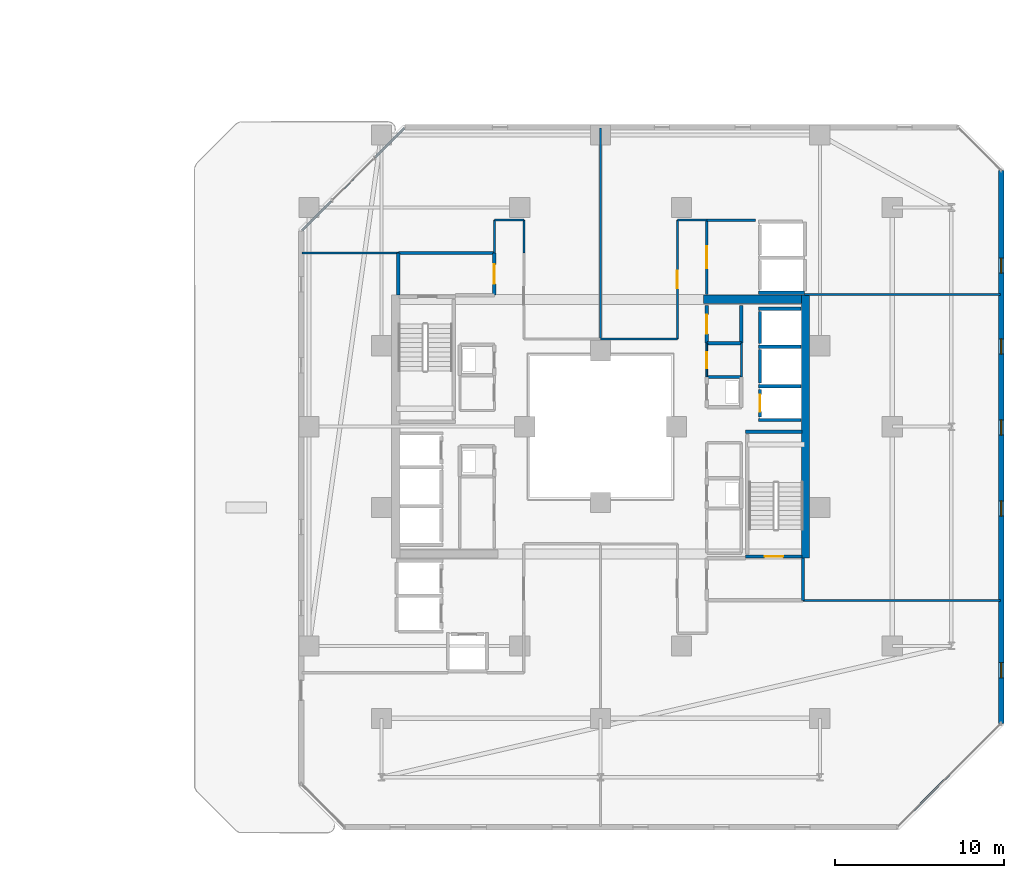
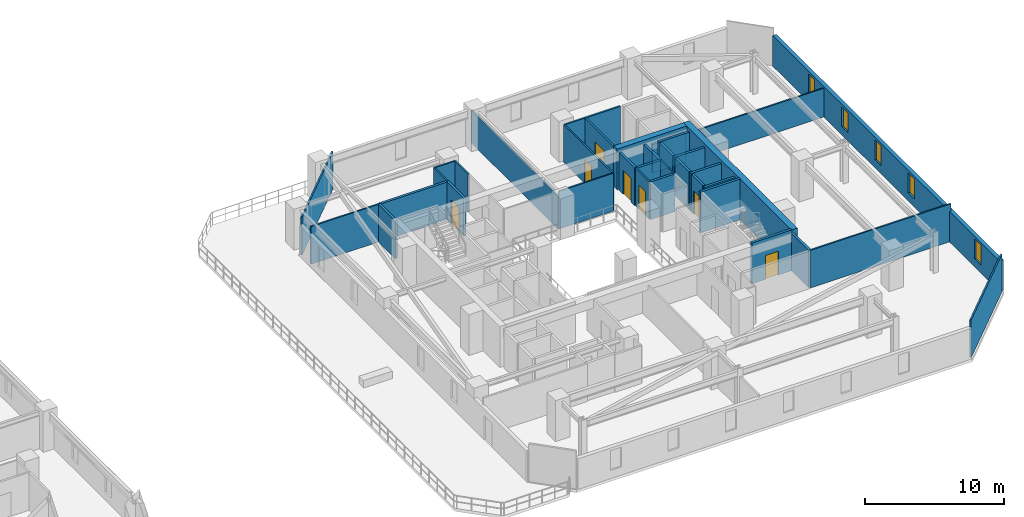
# One storey, part 24 of 31: 37 walls, 7 doors, 5 windows, 12 openings.
"""IFC4 building model written with IfcOpenShell, lengths in metres."""

from ifc_helpers import new_model, si_unit, direction, frame, frame_2d, origin, place, context, subcontext, project, spatial, rectangle, extrude, material, layer, layer_set, type_object, element, fill, save


model = new_model("IFC4")

# Units and contexts
model_context = context("Model", 3, precision=1e-05, world=origin(), true_north=direction((0.0, 1.0)))
body_context = subcontext(model_context, "Body", "Model", "MODEL_VIEW")
ifc_project = project(units=[si_unit("LENGTHUNIT", "METRE"), si_unit("AREAUNIT", "SQUARE_METRE"), si_unit("VOLUMEUNIT", "CUBIC_METRE"), si_unit("PLANEANGLEUNIT", "RADIAN"), si_unit("MASSUNIT", "GRAM", prefix="KILO")], contexts=[model_context])

# Site, building, storey
site_placement = place(None, origin())
site = spatial("IfcSite", under=ifc_project, at=site_placement, CompositionType="ELEMENT")
building_placement = place(site_placement, origin())
building = spatial("IfcBuilding", under=site, at=building_placement, Name="Thornwick Lancets Civic Towers", CompositionType="ELEMENT")
storey_placement = place(building_placement, frame((0.0, 0.0, 119.699951171875)))
storey = spatial("IfcBuildingStorey", under=building, at=storey_placement, Name="L31", CompositionType="ELEMENT", Elevation=119.699951171875)

# Wall, opening, door
ifc_material_1 = material(Name="Concrete blockwork C40/50", Category="masonry")
ifc_layer_1 = layer(ifc_material_1, 0.199951171875, Name="Concrete blockwork C40/50")
ifc_layer_set_1 = layer_set([ifc_layer_1], Name="Concrete blockwork C40/50")
wall_type_1 = type_object("IfcWallType", Name="WALL_COMP_200", PredefinedType="STANDARD", material=ifc_layer_set_1)
wall_1_placement = place(storey_placement, frame((97.949951171875, 29.219970703125, 0.0), z_axis=(0.0, 0.0, 1.0), x_axis=(0.0, -1.0, 0.0)))
wall_1 = element("IfcWall", 1, at=wall_1_placement, inside=storey, type_object=wall_type_1, Name="L31 Hoistway Front Wall FL-B1", PredefinedType="STANDARD", context=body_context, shape_type="SweptSolid", body=[
    extrude(rectangle(XDim=1.639892578125, YDim=0.199951171875, at=frame_2d((0.81982421875, 0.0))), origin(), (0.0, 0.0, 1.0), 3.320068359375),
])
opening_1_placement = place(wall_1_placement, frame((0.31005859375, 0.0, 0.0)))
opening_1 = element("IfcOpeningElement", 2, at=opening_1_placement, cuts=wall_1, Name="Opening LD-FL-B1", PredefinedType="OPENING", context=body_context, shape_type="SweptSolid", body=[
    extrude(rectangle(XDim=1.02001953125, YDim=2.06005859375, at=frame_2d((0.510009765625, 1.030029296875))), frame((0.0, 0.10986328125, 0.0), z_axis=(0.0, -1.0, 0.0), x_axis=(1.0, 0.0, 0.0)), (0.0, 0.0, 1.0), 0.219970703125),
])
ifc_material_2 = material(Name="Brushed bronze stainless steel", Category="steel")
door_type_1 = type_object("IfcDoorType", Name="DOOR_LIFT_SLIDE", OperationType="SLIDING_TO_LEFT", PredefinedType="DOOR", material=ifc_material_2)
door_1_placement = place(opening_1_placement, origin())
door_1 = element("IfcDoor", 3, at=door_1_placement, inside=storey, type_object=door_type_1, Name="L31 Sliding Lift Landing Door LD-FL-B1", OperationType="SLIDING_TO_LEFT", OverallHeight=2.06005859375, OverallWidth=1.02001953125, PredefinedType="DOOR", context=body_context, shape_type="SweptSolid", body=[
    extrude(rectangle(XDim=1.02001953125, YDim=2.06005859375, at=frame_2d((0.510009765625, 1.030029296875))), frame((0.0, 0.02490234375, 0.0), z_axis=(0.0, -1.0, 0.0), x_axis=(1.0, 0.0, 0.0)), (0.0, 0.0, 1.0), 0.050048828125),
])
fill(opening_1, door_1)

# Walls
wall_2_placement = place(storey_placement, frame((97.949951171875, 31.570068359375, 0.0), z_axis=(0.0, 0.0, 1.0), x_axis=(0.0, -1.0, 0.0)))
element("IfcWall", 4, at=wall_2_placement, inside=storey, type_object=wall_type_1, Name="L31 Hoistway Front Wall PL-BH1", PredefinedType="STANDARD", context=body_context, shape_type="SweptSolid", body=[
    extrude(rectangle(XDim=1.989990234375, YDim=0.199951171875, at=frame_2d((0.9951171875, 0.0))), origin(), (0.0, 0.0, 1.0), 3.320068359375),
])
wall_3_placement = place(storey_placement, frame((97.949951171875, 33.820068359375, 0.0), z_axis=(0.0, 0.0, 1.0), x_axis=(0.0, -1.0, 0.0)))
element("IfcWall", 5, at=wall_3_placement, inside=storey, type_object=wall_type_1, Name="L31 Hoistway Front Wall PL-BL1", PredefinedType="STANDARD", context=body_context, shape_type="SweptSolid", body=[
    extrude(rectangle(XDim=1.89013671875, YDim=0.199951171875, at=frame_2d((0.945068359375, 0.0))), origin(), (0.0, 0.0, 1.0), 3.320068359375),
])
for number, where, z_axis, x_axis, name in (
    (6, (97.85205078125, 29.39990234375, 0.0), (0.0, 0.0, 1.0), (1.0, 0.0, 0.0), "L31 Hoistway Shaft Wall FL-B1 N"),
    (7, (97.85205078125, 27.39990234375, 0.0), (0.0, 0.0, 1.0), (1.0, 0.0, 0.0), "L31 Hoistway Shaft Wall FL-B1 S"),
    (8, (97.85205078125, 31.75, 0.0), (0.0, 0.0, 1.0), (1.0, 0.0, 0.0), "L31 Hoistway Shaft Wall PL-BH1 N"),
    (9, (97.85205078125, 34.0, 0.0), (0.0, 0.0, 1.0), (1.0, 0.0, 0.0), "L31 Hoistway Shaft Wall PL-BL1 N"),
):
    element("IfcWall", number, at=place(storey_placement, frame(where, z_axis=z_axis, x_axis=x_axis)), inside=storey, type_object=wall_type_1, Name=name, PredefinedType="STANDARD", context=body_context, shape_type="SweptSolid", body=[
        extrude(rectangle(XDim=2.535888671875, YDim=0.199951171875, at=frame_2d((1.26806640625, 0.0))), origin(), (0.0, 0.0, 1.0), 3.320068359375),
    ])
wall_4_placement = place(storey_placement, frame((97.85205078125, 34.949951171875, 0.0), z_axis=(0.0, 0.0, 1.0), x_axis=(1.0, 0.0, 0.0)))
element("IfcWall", 10, at=wall_4_placement, inside=storey, type_object=wall_type_1, Name="L31 Hoistway Shaft Wall PL-BL2 S", PredefinedType="STANDARD", context=body_context, shape_type="SweptSolid", body=[
    extrude(rectangle(XDim=2.745849609375, YDim=0.199951171875, at=frame_2d((1.373046875, 0.0))), origin(), (0.0, 0.0, 1.0), 2.525146484375),
])
wall_5_placement = place(storey_placement, frame((100.5, 16.699951171875, 0.0), z_axis=(0.0, 0.0, 1.0), x_axis=(0.0, 1.0, 0.0)))
element("IfcWall", 11, at=wall_5_placement, inside=storey, type_object=wall_type_1, Name="L31 Partition L31-B-FFLOB1 E2", PredefinedType="STANDARD", context=body_context, shape_type="SweptSolid", body=[
    extrude(rectangle(XDim=2.5, YDim=0.199951171875, at=frame_2d((1.25, 0.0))), origin(), (0.0, 0.0, 1.0), 3.320068359375),
])

# Wall, opening, door
wall_6_placement = place(storey_placement, frame((82.199951171875, 34.800048828125, 0.0), z_axis=(0.0, 0.0, 1.0), x_axis=(0.0, 1.0, 0.0)))
wall_6 = element("IfcWall", 12, at=wall_6_placement, inside=storey, type_object=wall_type_1, Name="L31 Partition L31-B-FFLOB2 E2", PredefinedType="STANDARD", context=body_context, shape_type="SweptSolid", body=[
    extrude(rectangle(XDim=2.5, YDim=0.199951171875, at=frame_2d((1.25, 0.0))), origin(), (0.0, 0.0, 1.0), 3.320068359375),
])
opening_2_placement = place(wall_6_placement, frame((0.675048828125, 0.0, 0.0)))
opening_2 = element("IfcOpeningElement", 13, at=opening_2_placement, cuts=wall_6, Name="Opening D-L31-1432", PredefinedType="OPENING", context=body_context, shape_type="SweptSolid", body=[
    extrude(rectangle(XDim=1.14990234375, YDim=2.10009765625, at=frame_2d((0.574951171875, 1.050048828125))), frame((0.0, 0.10986328125, 0.0), z_axis=(0.0, -1.0, 0.0), x_axis=(1.0, 0.0, 0.0)), (0.0, 0.0, 1.0), 0.219970703125),
])
ifc_material_3 = material(Name="Glazed fire-resisting steel", Category="steel")
door_type_2 = type_object("IfcDoorType", Name="DOOR_LOBBY_FD60", OperationType="NOTDEFINED", PredefinedType="DOOR", material=ifc_material_3)
door_2_placement = place(opening_2_placement, origin())
door_2 = element("IfcDoor", 14, at=door_2_placement, inside=storey, type_object=door_type_2, Name="L31 West Firefighting Lobby 2 Door", OperationType="SINGLE_SWING_LEFT", OverallHeight=2.10009765625, OverallWidth=1.14990234375, PredefinedType="DOOR", context=body_context, shape_type="SweptSolid", body=[
    extrude(rectangle(XDim=1.14990234375, YDim=2.10009765625, at=frame_2d((0.574951171875, 1.050048828125))), frame((0.0, 0.02490234375, 0.0), z_axis=(0.0, -1.0, 0.0), x_axis=(1.0, 0.0, 0.0)), (0.0, 0.0, 1.0), 0.050048828125),
])
fill(opening_2, door_2)

# Walls
wall_7_placement = place(storey_placement, frame((82.199951171875, 37.300048828125, 0.0), z_axis=(0.0, 0.0, 1.0), x_axis=(-1.0, 0.0, 0.0)))
element("IfcWall", 15, at=wall_7_placement, inside=storey, type_object=wall_type_1, Name="L31 Partition L31-B-FFLOB2 E3", PredefinedType="STANDARD", context=body_context, shape_type="SweptSolid", body=[
    extrude(rectangle(XDim=5.699951171875, YDim=0.199951171875, at=frame_2d((2.85009765625, 0.0))), origin(), (0.0, 0.0, 1.0), 3.320068359375),
])
wall_8_placement = place(storey_placement, frame((76.5, 37.300048828125, 0.0), z_axis=(0.0, 0.0, 1.0), x_axis=(0.0, -1.0, 0.0)))
element("IfcWall", 16, at=wall_8_placement, inside=storey, type_object=wall_type_1, Name="L31 Partition L31-B-FFLOB2 E4", PredefinedType="STANDARD", context=body_context, shape_type="SweptSolid", body=[
    extrude(rectangle(XDim=2.5, YDim=0.199951171875, at=frame_2d((1.25, 0.0))), origin(), (0.0, 0.0, 1.0), 3.320068359375),
])
wall_9_placement = place(storey_placement, frame((96.85009765625, 29.949951171875, 0.0), z_axis=(0.0, 0.0, 1.0), x_axis=(-1.0, 0.0, 0.0)))
element("IfcWall", 17, at=wall_9_placement, inside=storey, type_object=wall_type_1, Name="L31 Partition L31-B-DUCT1 E3", PredefinedType="STANDARD", context=body_context, shape_type="SweptSolid", body=[
    extrude(rectangle(XDim=2.050048828125, YDim=0.199951171875, at=frame_2d((1.02490234375, 0.0))), origin(), (0.0, 0.0, 1.0), 3.320068359375),
])

# Wall, opening, door
wall_10_placement = place(storey_placement, frame((94.800048828125, 31.949951171875, 0.0), z_axis=(0.0, 0.0, 1.0), x_axis=(0.0, 1.0, 0.0)))
wall_10 = element("IfcWall", 18, at=wall_10_placement, inside=storey, type_object=wall_type_1, Name="L31 Partition L31-B-ITR2 E1", PredefinedType="STANDARD", context=body_context, shape_type="SweptSolid", body=[
    extrude(rectangle(XDim=2.25, YDim=0.199951171875, at=frame_2d((1.125, 0.0))), origin(), (0.0, 0.0, 1.0), 3.320068359375),
])
opening_3_placement = place(wall_10_placement, frame((0.550048828125, 0.0, 0.0)))
opening_3 = element("IfcOpeningElement", 19, at=opening_3_placement, cuts=wall_10, Name="Opening D-L31-1440", PredefinedType="OPENING", context=body_context, shape_type="SweptSolid", body=[
    extrude(rectangle(XDim=1.14990234375, YDim=2.10009765625, at=frame_2d((0.574951171875, 1.050048828125))), frame((0.0, 0.10986328125, 0.0), z_axis=(0.0, -1.0, 0.0), x_axis=(1.0, 0.0, 0.0)), (0.0, 0.0, 1.0), 0.219970703125),
])
door_3_placement = place(opening_3_placement, origin())
door_3 = element("IfcDoor", 20, at=door_3_placement, inside=storey, type_object=door_type_2, Name="L31 Tower B Statutory Core Archive Door", OperationType="SINGLE_SWING_LEFT", OverallHeight=2.10009765625, OverallWidth=1.14990234375, PredefinedType="DOOR", context=body_context, shape_type="SweptSolid", body=[
    extrude(rectangle(XDim=1.14990234375, YDim=2.10009765625, at=frame_2d((0.574951171875, 1.050048828125))), frame((0.0, 0.02490234375, 0.0), z_axis=(0.0, -1.0, 0.0), x_axis=(1.0, 0.0, 0.0)), (0.0, 0.0, 1.0), 0.050048828125),
])
fill(opening_3, door_3)

# Walls
wall_11_placement = place(storey_placement, frame((96.85009765625, 34.199951171875, 0.0), z_axis=(0.0, 0.0, 1.0), x_axis=(0.0, -1.0, 0.0)))
element("IfcWall", 21, at=wall_11_placement, inside=storey, type_object=wall_type_1, Name="L31 Partition L31-B-ITR2 E3", PredefinedType="STANDARD", context=body_context, shape_type="SweptSolid", body=[
    extrude(rectangle(XDim=2.25, YDim=0.199951171875, at=frame_2d((1.125, 0.0))), origin(), (0.0, 0.0, 1.0), 3.320068359375),
])
wall_12_placement = place(storey_placement, frame((96.85009765625, 31.949951171875, 0.0), z_axis=(0.0, 0.0, 1.0), x_axis=(-1.0, 0.0, 0.0)))
element("IfcWall", 22, at=wall_12_placement, inside=storey, type_object=wall_type_1, Name="L31 Partition L31-B-ITR2 E4", PredefinedType="STANDARD", context=body_context, shape_type="SweptSolid", body=[
    extrude(rectangle(XDim=2.050048828125, YDim=0.199951171875, at=frame_2d((1.02490234375, 0.0))), origin(), (0.0, 0.0, 1.0), 3.320068359375),
])
ifc_material_4 = material(Name="Concrete C50/60", Category="concrete")
ifc_layer_2 = layer(ifc_material_4, 0.5, Name="Concrete C50/60")
ifc_layer_set_2 = layer_set([ifc_layer_2], Name="Concrete C50/60")
wall_type_2 = type_object("IfcWallType", Name="WALL_CORE_500", PredefinedType="SHEAR", material=ifc_layer_set_2)
wall_13_placement = place(storey_placement, frame((100.64990234375, 19.199951171875, 0.0), z_axis=(0.0, 0.0, 1.0), x_axis=(0.0, 1.0, 0.0)))
element("IfcWall", 23, at=wall_13_placement, inside=storey, type_object=wall_type_2, Name="L31 Split Core B1 Shear Wall E", PredefinedType="SHEAR", context=body_context, shape_type="SweptSolid", body=[
    extrude(rectangle(XDim=15.60009765625, YDim=0.5, at=frame_2d((7.800048828125, 0.0))), origin(), (0.0, 0.0, 1.0), 3.60009765625),
])
wall_14_placement = place(storey_placement, frame((94.60009765625, 34.550048828125, 0.0), z_axis=(0.0, 0.0, 1.0), x_axis=(1.0, 0.0, 0.0)))
element("IfcWall", 24, at=wall_14_placement, inside=storey, type_object=wall_type_2, Name="L31 Split Core B1 Shear Wall N", PredefinedType="SHEAR", context=body_context, shape_type="SweptSolid", body=[
    extrude(rectangle(XDim=5.7998046875, YDim=0.5, at=frame_2d((2.89990234375, 0.0))), origin(), (0.0, 0.0, 1.0), 3.60009765625),
])

# Wall, openings, windows
ifc_material_5 = material(Name="Insulated buff terracotta rainscreen on concrete C40/50", Category="masonry")
ifc_layer_3 = layer(ifc_material_5, 0.320068359375, Name="Insulated buff terracotta rainscreen on concrete C40/50")
ifc_layer_set_3 = layer_set([ifc_layer_3], Name="Insulated buff terracotta rainscreen on concrete C40/50")
wall_type_3 = type_object("IfcWallType", Name="WALL_EXT_TERRA_320", PredefinedType="STANDARD", material=ifc_layer_set_3)
wall_15_placement = place(storey_placement, frame((112.252685546875, 9.403564453125, 0.0), z_axis=(0.0, 0.0, 1.0), x_axis=(0.000364968916, 0.999999933399, 0.0)))
wall_15 = element("IfcWall", 25, at=wall_15_placement, inside=storey, type_object=wall_type_3, Name="L31 Tower B Terracotta Facade Wall E2", PredefinedType="STANDARD", context=body_context, shape_type="SweptSolid", body=[
    extrude(rectangle(XDim=32.77783203125, YDim=0.320068359375, at=frame_2d((16.388916015625, 0.0))), origin(), (0.0, 0.0, 1.0), 2.699951171875),
])
opening_4_placement = place(wall_15_placement, frame((2.699951171875, 0.0, 0.719970703125)))
opening_4 = element("IfcOpeningElement", 26, at=opening_4_placement, cuts=wall_15, Name="Opening WL-01", PredefinedType="OPENING", context=body_context, shape_type="SweptSolid", body=[
    extrude(rectangle(XDim=0.89990234375, YDim=1.75, at=frame_2d((0.449951171875, 0.875))), frame((0.0, 0.169921875, 0.0), z_axis=(0.0, -1.0, 0.0), x_axis=(1.0, 0.0, 0.0)), (0.0, 0.0, 1.0), 0.340087890625),
])
opening_5_placement = place(wall_15_placement, frame((12.300048828125, 0.0, 0.719970703125)))
opening_5 = element("IfcOpeningElement", 27, at=opening_5_placement, cuts=wall_15, Name="Opening WL-01", PredefinedType="OPENING", context=body_context, shape_type="SweptSolid", body=[
    extrude(rectangle(XDim=0.89990234375, YDim=1.75, at=frame_2d((0.449951171875, 0.875))), frame((0.0, 0.169921875, 0.0), z_axis=(0.0, -1.0, 0.0), x_axis=(1.0, 0.0, 0.0)), (0.0, 0.0, 1.0), 0.340087890625),
])
opening_6_placement = place(wall_15_placement, frame((17.10009765625, 0.0, 0.719970703125)))
opening_6 = element("IfcOpeningElement", 28, at=opening_6_placement, cuts=wall_15, Name="Opening WL-01", PredefinedType="OPENING", context=body_context, shape_type="SweptSolid", body=[
    extrude(rectangle(XDim=0.89990234375, YDim=1.75, at=frame_2d((0.449951171875, 0.875))), frame((0.0, 0.169921875, 0.0), z_axis=(0.0, -1.0, 0.0), x_axis=(1.0, 0.0, 0.0)), (0.0, 0.0, 1.0), 0.340087890625),
])
opening_7_placement = place(wall_15_placement, frame((21.89990234375, 0.0, 0.719970703125)))
opening_7 = element("IfcOpeningElement", 29, at=opening_7_placement, cuts=wall_15, Name="Opening WL-01", PredefinedType="OPENING", context=body_context, shape_type="SweptSolid", body=[
    extrude(rectangle(XDim=0.89990234375, YDim=1.75, at=frame_2d((0.449951171875, 0.875))), frame((0.0, 0.169921875, 0.0), z_axis=(0.0, -1.0, 0.0), x_axis=(1.0, 0.0, 0.0)), (0.0, 0.0, 1.0), 0.340087890625),
])
opening_8_placement = place(wall_15_placement, frame((26.699951171875, 0.0, 0.719970703125)))
opening_8 = element("IfcOpeningElement", 30, at=opening_8_placement, cuts=wall_15, Name="Opening WL-01", PredefinedType="OPENING", context=body_context, shape_type="SweptSolid", body=[
    extrude(rectangle(XDim=0.89990234375, YDim=1.75, at=frame_2d((0.449951171875, 0.875))), frame((0.0, 0.169921875, 0.0), z_axis=(0.0, -1.0, 0.0), x_axis=(1.0, 0.0, 0.0)), (0.0, 0.0, 1.0), 0.340087890625),
])
ifc_material_6 = material(Name="Clear low-e double glazing in bronze frame", Category="glass")
window_type = type_object("IfcWindowType", Name="WIN_LANCET_900", PartitioningType="SINGLE_PANEL", PredefinedType="WINDOW", material=ifc_material_6)
window_1_placement = place(opening_4_placement, origin())
window_1 = element("IfcWindow", 31, at=window_1_placement, inside=storey, type_object=window_type, Name="L31 Tower B Staggered Lancet Window E2-1", OverallHeight=1.75, OverallWidth=0.89990234375, PartitioningType="SINGLE_PANEL", PredefinedType="WINDOW", context=body_context, shape_type="SweptSolid", body=[
    extrude(rectangle(XDim=0.89990234375, YDim=1.75, at=frame_2d((0.449951171875, 0.875))), frame((0.0, 0.030029296875, 0.0), z_axis=(0.0, -1.0, 0.0), x_axis=(1.0, 0.0, 0.0)), (0.0, 0.0, 1.0), 0.06005859375),
])
fill(opening_4, window_1)
window_2_placement = place(opening_5_placement, origin())
window_2 = element("IfcWindow", 32, at=window_2_placement, inside=storey, type_object=window_type, Name="L31 Tower B Staggered Lancet Window E2-2", OverallHeight=1.75, OverallWidth=0.89990234375, PartitioningType="SINGLE_PANEL", PredefinedType="WINDOW", context=body_context, shape_type="SweptSolid", body=[
    extrude(rectangle(XDim=0.89990234375, YDim=1.75, at=frame_2d((0.449951171875, 0.875))), frame((0.0, 0.030029296875, 0.0), z_axis=(0.0, -1.0, 0.0), x_axis=(1.0, 0.0, 0.0)), (0.0, 0.0, 1.0), 0.06005859375),
])
fill(opening_5, window_2)
window_3_placement = place(opening_6_placement, origin())
window_3 = element("IfcWindow", 33, at=window_3_placement, inside=storey, type_object=window_type, Name="L31 Tower B Staggered Lancet Window E2-3", OverallHeight=1.75, OverallWidth=0.89990234375, PartitioningType="SINGLE_PANEL", PredefinedType="WINDOW", context=body_context, shape_type="SweptSolid", body=[
    extrude(rectangle(XDim=0.89990234375, YDim=1.75, at=frame_2d((0.449951171875, 0.875))), frame((0.0, 0.030029296875, 0.0), z_axis=(0.0, -1.0, 0.0), x_axis=(1.0, 0.0, 0.0)), (0.0, 0.0, 1.0), 0.06005859375),
])
fill(opening_6, window_3)
window_4_placement = place(opening_7_placement, origin())
window_4 = element("IfcWindow", 34, at=window_4_placement, inside=storey, type_object=window_type, Name="L31 Tower B Staggered Lancet Window E2-4", OverallHeight=1.75, OverallWidth=0.89990234375, PartitioningType="SINGLE_PANEL", PredefinedType="WINDOW", context=body_context, shape_type="SweptSolid", body=[
    extrude(rectangle(XDim=0.89990234375, YDim=1.75, at=frame_2d((0.449951171875, 0.875))), frame((0.0, 0.030029296875, 0.0), z_axis=(0.0, -1.0, 0.0), x_axis=(1.0, 0.0, 0.0)), (0.0, 0.0, 1.0), 0.06005859375),
])
fill(opening_7, window_4)
window_5_placement = place(opening_8_placement, origin())
window_5 = element("IfcWindow", 35, at=window_5_placement, inside=storey, type_object=window_type, Name="L31 Tower B Staggered Lancet Window E2-5", OverallHeight=1.75, OverallWidth=0.89990234375, PartitioningType="SINGLE_PANEL", PredefinedType="WINDOW", context=body_context, shape_type="SweptSolid", body=[
    extrude(rectangle(XDim=0.89990234375, YDim=1.75, at=frame_2d((0.449951171875, 0.875))), frame((0.0, 0.030029296875, 0.0), z_axis=(0.0, -1.0, 0.0), x_axis=(1.0, 0.0, 0.0)), (0.0, 0.0, 1.0), 0.06005859375),
])
fill(opening_8, window_5)

# Wall, opening, door
ifc_material_7 = material(Name="Lightweight cellular office partition")
ifc_layer_4 = layer(ifc_material_7, 0.10009765625, Name="Lightweight cellular office partition")
ifc_layer_set_4 = layer_set([ifc_layer_4], Name="Lightweight cellular office partition")
wall_type_4 = type_object("IfcWallType", Name="WALL_PART_100", PredefinedType="PARTITIONING", material=ifc_layer_set_4)
wall_16_placement = place(storey_placement, frame((94.800048828125, 29.949951171875, 0.0), z_axis=(0.0, 0.0, 1.0), x_axis=(0.0, 1.0, 0.0)))
wall_16 = element("IfcWall", 36, at=wall_16_placement, inside=storey, type_object=wall_type_4, Name="L31 Partition L31-B-CLN E1", PredefinedType="PARTITIONING", context=body_context, shape_type="SweptSolid", body=[
    extrude(rectangle(XDim=2.0, YDim=0.10009765625, at=frame_2d((1.0, 0.0))), origin(), (0.0, 0.0, 1.0), 3.320068359375),
])
opening_9_placement = place(wall_16_placement, frame((0.52490234375, 0.0, 0.0)))
opening_9 = element("IfcOpeningElement", 37, at=opening_9_placement, cuts=wall_16, Name="Opening D-L31-1439", PredefinedType="OPENING", context=body_context, shape_type="SweptSolid", body=[
    extrude(rectangle(XDim=0.949951171875, YDim=2.10009765625, at=frame_2d((0.47509765625, 1.050048828125))), frame((0.0, 0.06005859375, 0.0), z_axis=(0.0, -1.0, 0.0), x_axis=(1.0, 0.0, 0.0)), (0.0, 0.0, 1.0), 0.1201171875),
])
ifc_material_8 = material(Name="European oak acoustic doorset")
door_type_3 = type_object("IfcDoorType", Name="DOOR_OFFICE_950", OperationType="NOTDEFINED", PredefinedType="DOOR", material=ifc_material_8)
door_4_placement = place(opening_9_placement, origin())
door_4 = element("IfcDoor", 38, at=door_4_placement, inside=storey, type_object=door_type_3, Name="L31 Tower B Cleaners Store Door", OperationType="SINGLE_SWING_RIGHT", OverallHeight=2.10009765625, OverallWidth=0.949951171875, PredefinedType="DOOR", context=body_context, shape_type="SweptSolid", body=[
    extrude(rectangle(XDim=0.949951171875, YDim=2.10009765625, at=frame_2d((0.47509765625, 1.050048828125))), frame((0.0, 0.02490234375, 0.0), z_axis=(0.0, -1.0, 0.0), x_axis=(1.0, 0.0, 0.0)), (0.0, 0.0, 1.0), 0.050048828125),
])
fill(opening_9, door_4)

# Walls
wall_17_placement = place(storey_placement, frame((96.85009765625, 31.949951171875, 0.0), z_axis=(0.0, 0.0, 1.0), x_axis=(0.0, -1.0, 0.0)))
element("IfcWall", 39, at=wall_17_placement, inside=storey, type_object=wall_type_4, Name="L31 Partition L31-B-CLN E3", PredefinedType="PARTITIONING", context=body_context, shape_type="SweptSolid", body=[
    extrude(rectangle(XDim=2.0, YDim=0.10009765625, at=frame_2d((1.0, 0.0))), origin(), (0.0, 0.0, 1.0), 3.320068359375),
])
ifc_material_9 = material(Name="Acoustic gypsum board partition")
ifc_layer_5 = layer(ifc_material_9, 0.1201171875, Name="Acoustic gypsum board partition")
ifc_layer_set_5 = layer_set([ifc_layer_5], Name="Acoustic gypsum board partition")
wall_type_5 = type_object("IfcWallType", Name="WALL_PART_120", PredefinedType="PARTITIONING", material=ifc_layer_set_5)
wall_18_placement = place(storey_placement, frame((100.5, 16.699951171875, 0.0), z_axis=(0.0, 0.0, 1.0), x_axis=(1.0, 0.0, 0.0)))
element("IfcWall", 40, at=wall_18_placement, inside=storey, type_object=wall_type_5, Name="L31 Partition L31-B-W1 E8", PredefinedType="PARTITIONING", context=body_context, shape_type="SweptSolid", body=[
    extrude(rectangle(XDim=11.719970703125, YDim=0.1201171875, at=frame_2d((5.85986328125, 0.0))), origin(), (0.0, 0.0, 1.0), 3.320068359375),
])
wall_19_placement = place(storey_placement, frame((112.219970703125, 9.37451171875, 0.0), z_axis=(0.0, 0.0, 1.0), x_axis=(-0.707106781187, -0.707106781187, 0.0)))
element("IfcWall", 41, at=wall_19_placement, inside=storey, type_object=wall_type_5, Name="L31 Partition L31-B-W1 E10", PredefinedType="PARTITIONING", context=body_context, shape_type="SweptSolid", body=[
    extrude(rectangle(XDim=8.618896484375, YDim=0.1201171875, at=frame_2d((4.3095703125, 0.0))), origin(), (0.0, 0.0, 1.0), 3.320068359375),
])
wall_20_placement = place(storey_placement, frame((94.800048828125, 39.25, 0.0), z_axis=(0.0, 0.0, 1.0), x_axis=(-1.0, 0.0, 0.0)))
element("IfcWall", 42, at=wall_20_placement, inside=storey, type_object=wall_type_5, Name="L31 Partition L31-B-E1 E3", PredefinedType="PARTITIONING", context=body_context, shape_type="SweptSolid", body=[
    extrude(rectangle(XDim=1.75, YDim=0.1201171875, at=frame_2d((0.875, 0.0))), origin(), (0.0, 0.0, 1.0), 3.320068359375),
])

# Wall, opening, door
wall_21_placement = place(storey_placement, frame((93.050048828125, 39.25, 0.0), z_axis=(0.0, 0.0, 1.0), x_axis=(0.0, -1.0, 0.0)))
wall_21 = element("IfcWall", 43, at=wall_21_placement, inside=storey, type_object=wall_type_5, Name="L31 Partition L31-B-E1 E4", PredefinedType="PARTITIONING", context=body_context, shape_type="SweptSolid", body=[
    extrude(rectangle(XDim=7.050048828125, YDim=0.1201171875, at=frame_2d((3.52490234375, 0.0))), origin(), (0.0, 0.0, 1.0), 3.320068359375),
])
opening_10_placement = place(wall_21_placement, frame((3.0, 0.0, 0.0)))
opening_10 = element("IfcOpeningElement", 44, at=opening_10_placement, cuts=wall_21, Name="Opening D-L31-1451", PredefinedType="OPENING", context=body_context, shape_type="SweptSolid", body=[
    extrude(rectangle(XDim=1.050048828125, YDim=2.10009765625, at=frame_2d((0.52490234375, 1.050048828125))), frame((0.0, 0.070068359375, 0.0), z_axis=(0.0, -1.0, 0.0), x_axis=(1.0, 0.0, 0.0)), (0.0, 0.0, 1.0), 0.14013671875),
])
ifc_material_10 = material(Name="Glazed European oak executive doorset")
door_type_4 = type_object("IfcDoorType", Name="DOOR_OFFICE_1050", OperationType="NOTDEFINED", PredefinedType="DOOR", material=ifc_material_10)
door_5_placement = place(opening_10_placement, origin())
door_5 = element("IfcDoor", 45, at=door_5_placement, inside=storey, type_object=door_type_4, Name="L31 Tower B Secretariat Open Office E1 Door", OperationType="SINGLE_SWING_RIGHT", OverallHeight=2.10009765625, OverallWidth=1.050048828125, PredefinedType="DOOR", context=body_context, shape_type="SweptSolid", body=[
    extrude(rectangle(XDim=1.050048828125, YDim=2.10009765625, at=frame_2d((0.52490234375, 1.050048828125))), frame((0.0, 0.02490234375, 0.0), z_axis=(0.0, -1.0, 0.0), x_axis=(1.0, 0.0, 0.0)), (0.0, 0.0, 1.0), 0.050048828125),
])
fill(opening_10, door_5)

# Walls
wall_22_placement = place(storey_placement, frame((93.050048828125, 32.199951171875, 0.0), z_axis=(0.0, 0.0, 1.0), x_axis=(-1.0, 0.0, 0.0)))
element("IfcWall", 46, at=wall_22_placement, inside=storey, type_object=wall_type_5, Name="L31 Partition L31-B-E1 E5", PredefinedType="PARTITIONING", context=body_context, shape_type="SweptSolid", body=[
    extrude(rectangle(XDim=4.550048828125, YDim=0.1201171875, at=frame_2d((2.27490234375, 0.0))), origin(), (0.0, 0.0, 1.0), 3.320068359375),
])
wall_23_placement = place(storey_placement, frame((88.5, 32.199951171875, 0.0), z_axis=(0.0, 0.0, 1.0), x_axis=(0.0, 1.0, 0.0)))
element("IfcWall", 47, at=wall_23_placement, inside=storey, type_object=wall_type_5, Name="L31 Partition L31-B-E1 E6", PredefinedType="PARTITIONING", context=body_context, shape_type="SweptSolid", body=[
    extrude(rectangle(XDim=12.52001953125, YDim=0.1201171875, at=frame_2d((6.260009765625, 0.0))), origin(), (0.0, 0.0, 1.0), 2.912353515625),
])
wall_24_placement = place(storey_placement, frame((112.219970703125, 34.85009765625, 0.0), z_axis=(0.0, 0.0, 1.0), x_axis=(-1.0, 0.0, 0.0)))
element("IfcWall", 48, at=wall_24_placement, inside=storey, type_object=wall_type_5, Name="L31 Partition L31-B-E1 E10", PredefinedType="PARTITIONING", context=body_context, shape_type="SweptSolid", body=[
    extrude(rectangle(XDim=11.6220703125, YDim=0.1201171875, at=frame_2d((5.81103515625, 0.0))), origin(), (0.0, 0.0, 1.0), 2.525146484375),
])
wall_25_placement = place(storey_placement, frame((83.949951171875, 37.300048828125, 0.0), z_axis=(0.0, 0.0, 1.0), x_axis=(0.0, 1.0, 0.0)))
element("IfcWall", 49, at=wall_25_placement, inside=storey, type_object=wall_type_5, Name="L31 Partition L31-B-E3 E2", PredefinedType="PARTITIONING", context=body_context, shape_type="SweptSolid", body=[
    extrude(rectangle(XDim=1.949951171875, YDim=0.1201171875, at=frame_2d((0.97509765625, 0.0))), origin(), (0.0, 0.0, 1.0), 3.320068359375),
])
wall_26_placement = place(storey_placement, frame((83.949951171875, 39.25, 0.0), z_axis=(0.0, 0.0, 1.0), x_axis=(-1.0, 0.0, 0.0)))
element("IfcWall", 50, at=wall_26_placement, inside=storey, type_object=wall_type_5, Name="L31 Partition L31-B-E3 E3", PredefinedType="PARTITIONING", context=body_context, shape_type="SweptSolid", body=[
    extrude(rectangle(XDim=1.75, YDim=0.1201171875, at=frame_2d((0.875, 0.0))), origin(), (0.0, 0.0, 1.0), 3.320068359375),
])
wall_27_placement = place(storey_placement, frame((82.199951171875, 39.25, 0.0), z_axis=(0.0, 0.0, 1.0), x_axis=(0.0, -1.0, 0.0)))
element("IfcWall", 51, at=wall_27_placement, inside=storey, type_object=wall_type_5, Name="L31 Partition L31-B-E3 E4", PredefinedType="PARTITIONING", context=body_context, shape_type="SweptSolid", body=[
    extrude(rectangle(XDim=1.949951171875, YDim=0.1201171875, at=frame_2d((0.97509765625, 0.0))), origin(), (0.0, 0.0, 1.0), 3.320068359375),
])
wall_28_placement = place(storey_placement, frame((76.5, 37.300048828125, 0.0), z_axis=(0.0, 0.0, 1.0), x_axis=(-1.0, 0.0, 0.0)))
element("IfcWall", 52, at=wall_28_placement, inside=storey, type_object=wall_type_5, Name="L31 Partition L31-B-E3 E6", PredefinedType="PARTITIONING", context=body_context, shape_type="SweptSolid", body=[
    extrude(rectangle(XDim=5.719970703125, YDim=0.1201171875, at=frame_2d((2.85986328125, 0.0))), origin(), (0.0, 0.0, 1.0), 3.320068359375),
])
wall_29_placement = place(storey_placement, frame((70.780029296875, 38.62548828125, 0.0), z_axis=(0.0, 0.0, 1.0), x_axis=(0.707106781187, 0.707106781187, 0.0)))
element("IfcWall", 53, at=wall_29_placement, inside=storey, type_object=wall_type_5, Name="L31 Partition L31-B-E3 E8", PredefinedType="PARTITIONING", context=body_context, shape_type="SweptSolid", body=[
    extrude(rectangle(XDim=8.618896484375, YDim=0.1201171875, at=frame_2d((4.3095703125, 0.0))), origin(), (0.0, 0.0, 1.0), 3.320068359375),
])

# Wall, opening, door
ifc_material_11 = material(Name="Twin-stud acoustic gypsum board")
ifc_layer_6 = layer(ifc_material_11, 0.14990234375, Name="Twin-stud acoustic gypsum board")
ifc_layer_set_6 = layer_set([ifc_layer_6], Name="Twin-stud acoustic gypsum board")
wall_type_6 = type_object("IfcWallType", Name="WALL_PART_150", PredefinedType="PARTITIONING", material=ifc_layer_set_6)
wall_30_placement = place(storey_placement, frame((94.800048828125, 34.85009765625, 0.0), z_axis=(0.0, 0.0, 1.0), x_axis=(0.0, 1.0, 0.0)))
wall_30 = element("IfcWall", 54, at=wall_30_placement, inside=storey, type_object=wall_type_6, Name="L31 Partition L31-B-L31-SE-STUDY E3", PredefinedType="PARTITIONING", context=body_context, shape_type="SweptSolid", body=[
    extrude(rectangle(XDim=4.39990234375, YDim=0.14990234375, at=frame_2d((2.199951171875, 0.0))), origin(), (0.0, 0.0, 1.0), 3.320068359375),
])
opening_11_placement = place(wall_30_placement, frame((1.550048828125, 0.0, 0.0)))
opening_11 = element("IfcOpeningElement", 55, at=opening_11_placement, cuts=wall_30, Name="Opening D-L31-1448", PredefinedType="OPENING", context=body_context, shape_type="SweptSolid", body=[
    extrude(rectangle(XDim=1.300048828125, YDim=2.1201171875, at=frame_2d((0.64990234375, 1.06005859375))), frame((0.0, 0.0849609375, 0.0), z_axis=(0.0, -1.0, 0.0), x_axis=(1.0, 0.0, 0.0)), (0.0, 0.0, 1.0), 0.169921875),
])
ifc_material_12 = material(Name="Acoustic oak leaf-and-a-half doorset")
door_type_5 = type_object("IfcDoorType", Name="DOOR_MEET_1300", OperationType="DOUBLE_DOOR_SINGLE_SWING", PredefinedType="DOOR", material=ifc_material_12)
door_6_placement = place(opening_11_placement, origin())
door_6 = element("IfcDoor", 56, at=door_6_placement, inside=storey, type_object=door_type_5, Name="L31 Tower B Parliamentary Study Room Door", OperationType="DOUBLE_DOOR_SINGLE_SWING", OverallHeight=2.1201171875, OverallWidth=1.300048828125, PredefinedType="DOOR", context=body_context, shape_type="SweptSolid", body=[
    extrude(rectangle(XDim=1.300048828125, YDim=2.1201171875, at=frame_2d((0.64990234375, 1.06005859375))), frame((0.0, 0.02490234375, 0.0), z_axis=(0.0, -1.0, 0.0), x_axis=(1.0, 0.0, 0.0)), (0.0, 0.0, 1.0), 0.050048828125),
])
fill(opening_11, door_6)

# Wall
wall_31_placement = place(storey_placement, frame((94.800048828125, 39.25, 0.0), z_axis=(0.0, 0.0, 1.0), x_axis=(1.0, 0.0, 0.0)))
element("IfcWall", 57, at=wall_31_placement, inside=storey, type_object=wall_type_6, Name="L31 Partition L31-B-L31-SE-STUDY E4", PredefinedType="PARTITIONING", context=body_context, shape_type="SweptSolid", body=[
    extrude(rectangle(XDim=2.89990234375, YDim=0.14990234375, at=frame_2d((1.449951171875, 0.0))), origin(), (0.0, 0.0, 1.0), 3.320068359375),
])

# Wall, opening, door
ifc_material_13 = material(Name="Concrete C40/50", Category="concrete")
ifc_layer_7 = layer(ifc_material_13, 0.199951171875, Name="Concrete C40/50")
ifc_layer_set_7 = layer_set([ifc_layer_7], Name="Concrete C40/50")
wall_type_7 = type_object("IfcWallType", Name="WALL_SHAFT_200", PredefinedType="SHEAR", material=ifc_layer_set_7)
wall_32_placement = place(storey_placement, frame((100.449951171875, 19.300048828125, 0.0), z_axis=(0.0, 0.0, 1.0), x_axis=(-1.0, 0.0, 0.0)))
wall_32 = element("IfcWall", 58, at=wall_32_placement, inside=storey, type_object=wall_type_7, Name="L31 ST-B1 Fire Stair Core Wall NEAR", PredefinedType="SHEAR", context=body_context, shape_type="SweptSolid", body=[
    extrude(rectangle(XDim=3.349853515625, YDim=0.199951171875, at=frame_2d((1.6748046875, 0.0))), origin(), (0.0, 0.0, 1.0), 3.60009765625),
])
opening_12_placement = place(wall_32_placement, frame((1.125, 0.0, 0.0)))
opening_12 = element("IfcOpeningElement", 59, at=opening_12_placement, cuts=wall_32, Name="Opening D-ST-B1-L31", PredefinedType="OPENING", context=body_context, shape_type="SweptSolid", body=[
    extrude(rectangle(XDim=1.10009765625, YDim=2.10009765625, at=frame_2d((0.550048828125, 1.050048828125))), frame((0.0, 0.10986328125, 0.0), z_axis=(0.0, -1.0, 0.0), x_axis=(1.0, 0.0, 0.0)), (0.0, 0.0, 1.0), 0.219970703125),
])
ifc_material_14 = material(Name="Fire-resisting steel and hardwood", Category="steel")
door_type_6 = type_object("IfcDoorType", Name="DOOR_STAIR_FD60", OperationType="NOTDEFINED", PredefinedType="DOOR", material=ifc_material_14)
door_7_placement = place(opening_12_placement, origin())
door_7 = element("IfcDoor", 60, at=door_7_placement, inside=storey, type_object=door_type_6, Name="L31 ST-B1 Exit Stair Door", OperationType="SINGLE_SWING_RIGHT", OverallHeight=2.10009765625, OverallWidth=1.10009765625, PredefinedType="DOOR", context=body_context, shape_type="SweptSolid", body=[
    extrude(rectangle(XDim=1.10009765625, YDim=2.10009765625, at=frame_2d((0.550048828125, 1.050048828125))), frame((0.0, 0.02490234375, 0.0), z_axis=(0.0, -1.0, 0.0), x_axis=(1.0, 0.0, 0.0)), (0.0, 0.0, 1.0), 0.050048828125),
])
fill(opening_12, door_7)

# Wall
wall_33_placement = place(storey_placement, frame((97.10009765625, 26.699951171875, 0.0), z_axis=(0.0, 0.0, 1.0), x_axis=(1.0, 0.0, 0.0)))
element("IfcWall", 61, at=wall_33_placement, inside=storey, type_object=wall_type_7, Name="L31 ST-B1 Fire Stair Core Wall FAR", PredefinedType="SHEAR", context=body_context, shape_type="SweptSolid", body=[
    extrude(rectangle(XDim=3.349853515625, YDim=0.199951171875, at=frame_2d((1.6748046875, 0.0))), origin(), (0.0, 0.0, 1.0), 3.60009765625),
])

save(model, "model.ifc")
